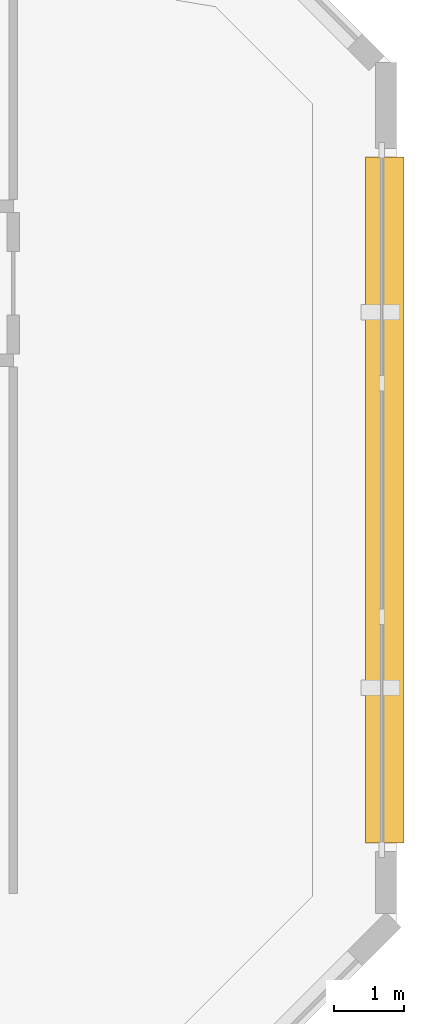
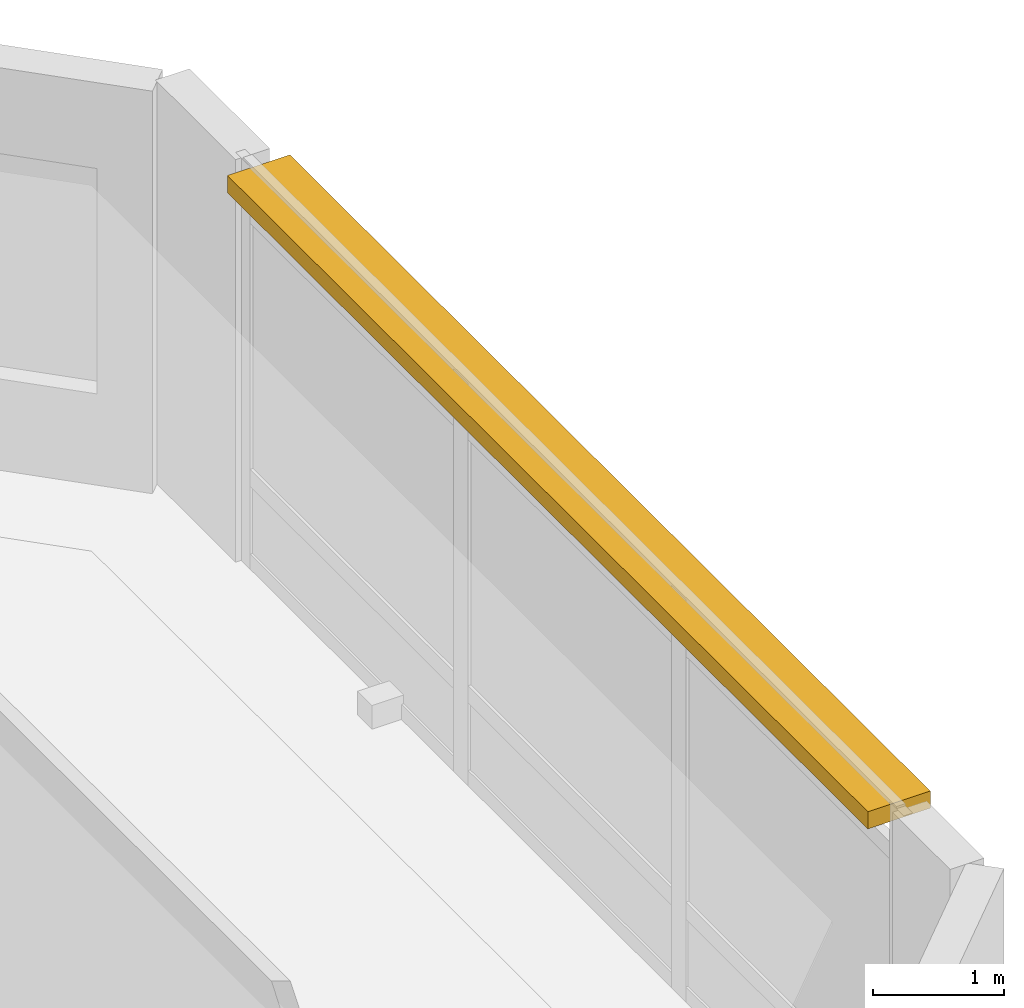
# One storey, part 12 of 12: 1 shading device.
"""IFC4 building model written with IfcOpenShell, lengths in metres."""

import ifcopenshell
import ifcopenshell.guid

model = None  # the IFC model being written
_history = None  # IfcOwnerHistory: only IFC2X3 demands one
_inside = {}  # id of a spatial element -> (the spatial element, [elements in it])
_under = {}  # id of a project, library or spatial element -> (it, [spatial elements below it])
_declared = {}  # id of a project -> (the project, [libraries it declares])
_typed = {}  # id of a type object -> (the type object, [elements of that type])
_made_of = {}  # id of a material, layer set ... -> (it, [elements and type objects made of it])


def new_model(schema):
    """Start an empty IFC model of exactly this schema.

    Asked for "IFC4X3", IfcOpenShell would pick the latest addendum, in which some entities
    have other attributes; the version numbers below select the first issue.
    IFC2X3 requires an IfcOwnerHistory on every rooted entity: one is made here for all.
    """
    global model, _history
    if schema == "IFC4X3":
        model = ifcopenshell.file(schema_version=(4, 3, 0, 0))
    else:
        model = ifcopenshell.file(schema=schema)
    _inside.clear()
    _under.clear()
    _declared.clear()
    _typed.clear()
    _made_of.clear()
    _history = None
    if model.schema == "IFC2X3":
        org = make("IfcOrganization", Name="unknown")
        user = make(
            "IfcPersonAndOrganization",
            ThePerson=make("IfcPerson", FamilyName="unknown"),
            TheOrganization=org,
        )
        app = make(
            "IfcApplication",
            ApplicationDeveloper=org,
            Version="unknown",
            ApplicationFullName="unknown",
            ApplicationIdentifier="unknown",
        )
        _history = make(
            "IfcOwnerHistory",
            OwningUser=user,
            OwningApplication=app,
            ChangeAction="ADDED",
            CreationDate=0,
        )
    return model


def make(cls, **values):
    """One entity of the class cls with the attributes given. An attribute that is None is left unset."""
    return model.create_entity(
        cls, **{name: value for name, value in values.items() if value is not None}
    )


def rooted(cls, **values):
    """An entity with a GlobalId (a new one), such as an element, a storey or a relation."""
    return make(cls, GlobalId=ifcopenshell.guid.new(), OwnerHistory=_history, **values)


def si_unit(unit_type, name, prefix=None):
    """IfcSIUnit, for example si_unit("LENGTHUNIT", "METRE", prefix="MILLI")."""
    return make("IfcSIUnit", UnitType=unit_type, Prefix=prefix, Name=name)


def assignment(units):
    """IfcUnitAssignment: the units of a project."""
    return None if units is None else make("IfcUnitAssignment", Units=units)


def point(xyz):
    """IfcCartesianPoint."""
    return None if xyz is None else make("IfcCartesianPoint", Coordinates=xyz)


def direction(xyz):
    """IfcDirection."""
    return None if xyz is None else make("IfcDirection", DirectionRatios=xyz)


def frame(location, z_axis=None, x_axis=None):
    """IfcAxis2Placement3D, a coordinate frame: its origin and axes. An axis left out is left unset."""
    return make(
        "IfcAxis2Placement3D",
        Location=point(location),
        Axis=direction(z_axis),
        RefDirection=direction(x_axis),
    )


def frame_2d(location, x_axis=None):
    """IfcAxis2Placement2D, a coordinate frame in the plane: its origin and x axis."""
    return make(
        "IfcAxis2Placement2D", Location=point(location), RefDirection=direction(x_axis)
    )


def origin():
    """The frame at (0, 0, 0) with its axes left unset."""
    return frame((0.0, 0.0, 0.0))


def place(relative_to, where):
    """IfcLocalPlacement: puts the frame where relative to a parent placement (None: the world)."""
    return make(
        "IfcLocalPlacement", PlacementRelTo=relative_to, RelativePlacement=where
    )


def context(
    kind, dimensions, precision=None, world=None, true_north=None, identifier=None
):
    """IfcGeometricRepresentationContext, for example the 3D "Model" context."""
    return make(
        "IfcGeometricRepresentationContext",
        ContextIdentifier=identifier,
        ContextType=kind,
        CoordinateSpaceDimension=dimensions,
        Precision=precision,
        WorldCoordinateSystem=world,
        TrueNorth=true_north,
    )


def subcontext(parent, identifier, kind, view, scale=None):
    """IfcGeometricRepresentationSubContext, for example "Body" below "Model"."""
    return make(
        "IfcGeometricRepresentationSubContext",
        ContextIdentifier=identifier,
        ContextType=kind,
        ParentContext=parent,
        TargetScale=scale,
        TargetView=view,
    )


def project(units=None, contexts=None):
    """IfcProject with its units and contexts."""
    return rooted(
        "IfcProject",
        Name="project",
        RepresentationContexts=contexts,
        UnitsInContext=assignment(units),
    )


def spatial(cls, under=None, at=None, **own):
    """A site, building, storey or space (cls), placed at a placement, below another one or the project."""
    s = rooted(cls, ObjectPlacement=at, **own)
    if under is not None:
        _under.setdefault(under.id(), (under, []))[1].append(s)
    return s


def profile(cls, at=None, kind="AREA", **sizes):
    """A parametric profile (cls). Its sizes go by their IFC names, for example OverallWidth=200.0."""
    return make(cls, ProfileType=kind, Position=at, **sizes)


def rectangle(**sizes):
    """IfcRectangleProfileDef."""
    return profile("IfcRectangleProfileDef", **sizes)


def extrude(swept, where, along, depth):
    """IfcExtrudedAreaSolid: the profile swept, set in the frame where, extruded along a direction by depth."""
    return make(
        "IfcExtrudedAreaSolid",
        SweptArea=swept,
        Position=where,
        ExtrudedDirection=direction(along),
        Depth=depth,
    )


def shape(context_of_items, identifier, shape_type, items):
    """IfcShapeRepresentation: the items that make up one representation, for example the "Body"."""
    return make(
        "IfcShapeRepresentation",
        ContextOfItems=context_of_items,
        RepresentationIdentifier=identifier,
        RepresentationType=shape_type,
        Items=items,
    )


def material(Name=None, Category=None):
    """IfcMaterial."""
    return make("IfcMaterial", Name=Name, Category=Category)


def made_of(thing, what):
    """Note that an element or type object is made of a material, layer set ...; save() writes the relation."""
    if what is not None:
        _made_of.setdefault(what.id(), (what, []))[1].append(thing)
    return thing


def type_object(cls, material=None, **own):
    """A type object (cls), such as IfcWallType, which elements share."""
    return made_of(rooted(cls, **own), material)


def element(
    cls,
    number,
    at=None,
    inside=None,
    cuts=None,
    type_object=None,
    material=None,
    context=None,
    identifier="Body",
    shape_type=None,
    held_by="IfcProductDefinitionShape",
    body=None,
    shapes=None,
    **own,
):
    """One element of the class cls, such as IfcWall. Its Tag is "e" and its number.

    at: its placement. inside: the storey or other place that contains it. cuts: it is an
    opening in that element (IfcRelVoidsElement). A single representation is given by context,
    identifier, shape_type and body (its items); several are given by shapes. held_by: the class
    of the entity that holds the representations. save() writes the other relations.
    """
    e = rooted(cls, Tag="e%d" % number, ObjectPlacement=at, **own)
    if body is not None:
        shapes = [shape(context, identifier, shape_type, body)]
    if shapes is not None:
        e.Representation = make(held_by, Representations=shapes)
    if inside is not None:
        _inside.setdefault(inside.id(), (inside, []))[1].append(e)
    if cuts is not None:
        rooted(
            "IfcRelVoidsElement", RelatingBuildingElement=cuts, RelatedOpeningElement=e
        )
    if type_object is not None:
        _typed.setdefault(type_object.id(), (type_object, []))[1].append(e)
    return made_of(e, material)


def aggregate(whole, parts):
    """IfcRelAggregates: a whole, such as a stair, and the parts it consists of."""
    return rooted("IfcRelAggregates", RelatingObject=whole, RelatedObjects=parts)


def save(model, path):
    """Write the relations noted so far, then the file.

    IfcRelAggregates (storeys below a building ...), IfcRelContainedInSpatialStructure (elements
    in a storey), IfcRelDefinesByType, IfcRelAssociatesMaterial and IfcRelDeclares: one each for
    every whole, place, type object, material and project.
    """
    for whole, parts in _under.values():
        aggregate(whole, parts)
    for where, things in _inside.values():
        rooted(
            "IfcRelContainedInSpatialStructure",
            RelatedElements=things,
            RelatingStructure=where,
        )
    for kind, things in _typed.values():
        rooted("IfcRelDefinesByType", RelatedObjects=things, RelatingType=kind)
    for what, things in _made_of.values():
        rooted("IfcRelAssociatesMaterial", RelatedObjects=things, RelatingMaterial=what)
    for by, libraries in _declared.values():
        rooted("IfcRelDeclares", RelatingContext=by, RelatedDefinitions=libraries)
    model.write(path)


model = new_model("IFC4")

# Units and contexts
model_context = context("Model", 3, precision=1e-05, world=origin(), true_north=direction((0.0, 1.0)))
body_context = subcontext(model_context, "Body", "Model", "MODEL_VIEW")
ifc_project = project(units=[si_unit("LENGTHUNIT", "METRE"), si_unit("AREAUNIT", "SQUARE_METRE"), si_unit("VOLUMEUNIT", "CUBIC_METRE"), si_unit("PLANEANGLEUNIT", "RADIAN"), si_unit("MASSUNIT", "GRAM", prefix="KILO")], contexts=[model_context])

# Site, building, storey
site_placement = place(None, origin())
site = spatial("IfcSite", under=ifc_project, at=site_placement, CompositionType="ELEMENT")
building_placement = place(site_placement, origin())
building = spatial("IfcBuilding", under=site, at=building_placement, Name="Calvemar Wedge Station Tower", CompositionType="ELEMENT")
storey_placement = place(building_placement, frame((0.0, 0.0, 39.0)))
storey = spatial("IfcBuildingStorey", under=building, at=storey_placement, Name="L09", CompositionType="ELEMENT", Elevation=39.0)

# Shading device
ifc_material = material(Name="Precast concrete C45", Category="concrete")
shading_device_type = type_object("IfcShadingDeviceType", Name="SHD-EYEBROW-1", PredefinedType="SHUTTER", material=ifc_material)
shading_device_placement = place(storey_placement, frame((60.830078125, 33.72216796875, 3.570068359375), z_axis=(0.0, 0.0, 1.0), x_axis=(0.0, 1.0, 0.0)))
element("IfcShadingDevice", 1, at=shading_device_placement, inside=storey, type_object=shading_device_type, Name="Storey L09 Bronze GFRC Solar Eyebrow 8", PredefinedType="SHUTTER", context=body_context, shape_type="SweptSolid", body=[
    extrude(rectangle(XDim=9.775634765625, YDim=0.550048828125, at=frame_2d((4.8876953125, 0.0))), origin(), (0.0, 0.0, 1.0), 0.159912109375),
])

save(model, "model.ifc")
